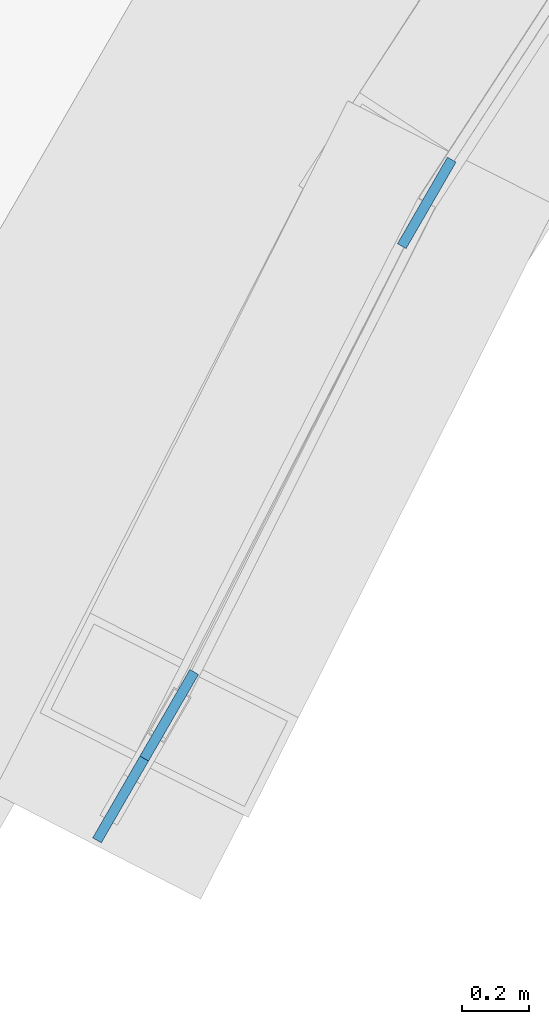
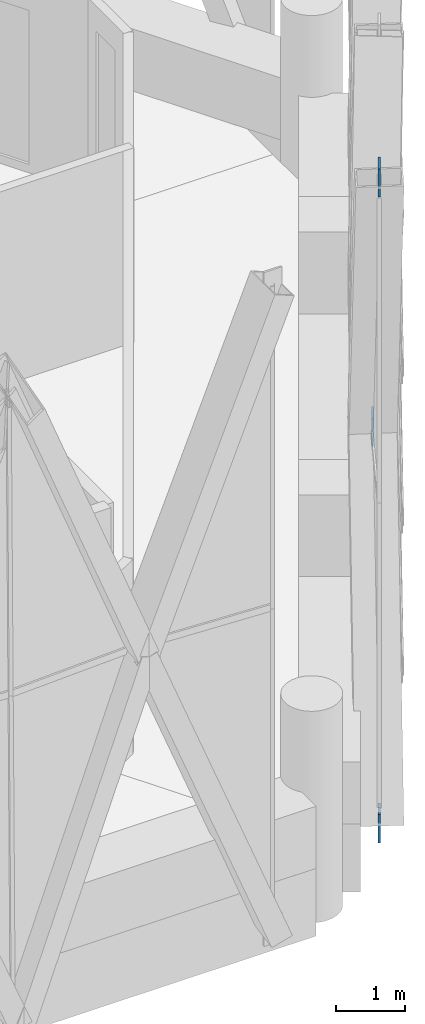
# One storey, part 18 of 22: 3 discrete accessories.
"""IFC4 building model written with IfcOpenShell, lengths in metres."""

from ifc_helpers import new_model, si_unit, direction, frame, origin, origin_2d, place, context, subcontext, project, spatial, rectangle, extrude, material, layer, layer_set, type_object, element, save


model = new_model("IFC4")

# Units and contexts
model_context = context("Model", 3, precision=1e-05, world=origin(), true_north=direction((0.0, 1.0)))
body_context = subcontext(model_context, "Body", "Model", "MODEL_VIEW")
ifc_project = project(units=[si_unit("LENGTHUNIT", "METRE"), si_unit("AREAUNIT", "SQUARE_METRE"), si_unit("VOLUMEUNIT", "CUBIC_METRE"), si_unit("PLANEANGLEUNIT", "RADIAN"), si_unit("MASSUNIT", "GRAM", prefix="KILO")], contexts=[model_context])

# Site, building, storey
site_placement = place(None, origin())
site = spatial("IfcSite", under=ifc_project, at=site_placement, CompositionType="ELEMENT")
building_placement = place(site_placement, origin())
building = spatial("IfcBuilding", under=site, at=building_placement, Name="Ostrander Bayou Hotel Tower", CompositionType="ELEMENT")
storey_placement = place(building_placement, frame((0.0, 0.0, 245.0)))
storey = spatial("IfcBuildingStorey", under=building, at=storey_placement, Name="L60", CompositionType="ELEMENT", Elevation=245.0)

# Discrete accessories
ifc_material = material(Name="Steel ASTM A572 Gr 50", Category="steel")
ifc_layer = layer(ifc_material, 0.030029296875)
ifc_layer_set = layer_set([ifc_layer], Name="GP1 gusset plate 30 mm")
discrete_accessory_type = type_object("IfcDiscreteAccessoryType", Name="GP1 gusset plate 30 mm", PredefinedType="BRACKET", material=ifc_layer_set)
for number, where, z_axis, x_axis, name in (
    (1, (12.339111328125, -13.569091796875, 4.77490234375), (0.0, 0.0, 1.0), (0.5, 0.866025403784, 0.0), "GP1 gusset plate lat 427"),
    (2, (11.424072265625, -15.35302734375, -0.85009765625), (0.0, 0.0, 1.0), (0.5, 0.866025403784, 0.0), "GP1 gusset plate lat 428"),
    (3, (11.56591796875, -15.107421875, 10.39990234375), (0.0, 0.0, 1.0), (0.5, 0.866025403784, 0.0), "GP1 gusset plate lat 429"),
):
    element("IfcDiscreteAccessory", number, at=place(storey_placement, frame(where, z_axis=z_axis, x_axis=x_axis)), inside=storey, type_object=discrete_accessory_type, Name=name, PredefinedType="BRACKET", context=body_context, shape_type="SweptSolid", body=[
        extrude(rectangle(XDim=0.300048828125, YDim=0.030029296875, at=origin_2d()), origin(), (0.0, 0.0, 1.0), 0.5),
    ])

save(model, "model.ifc")
